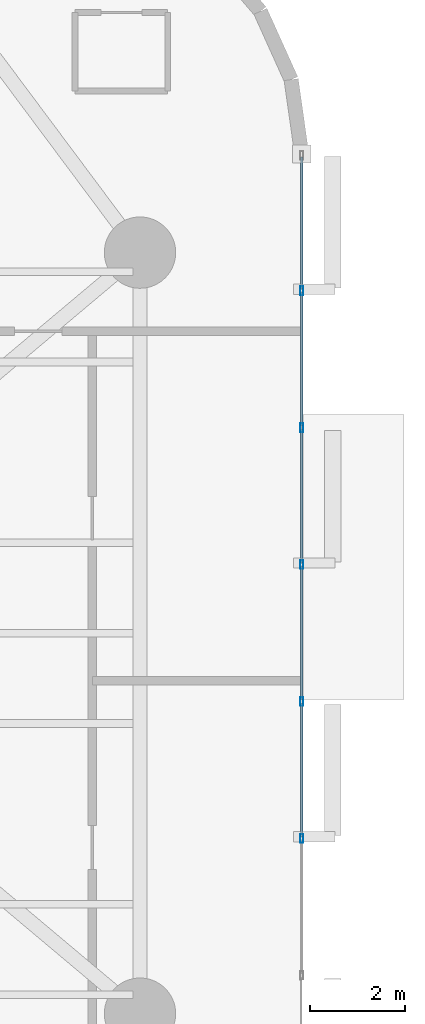
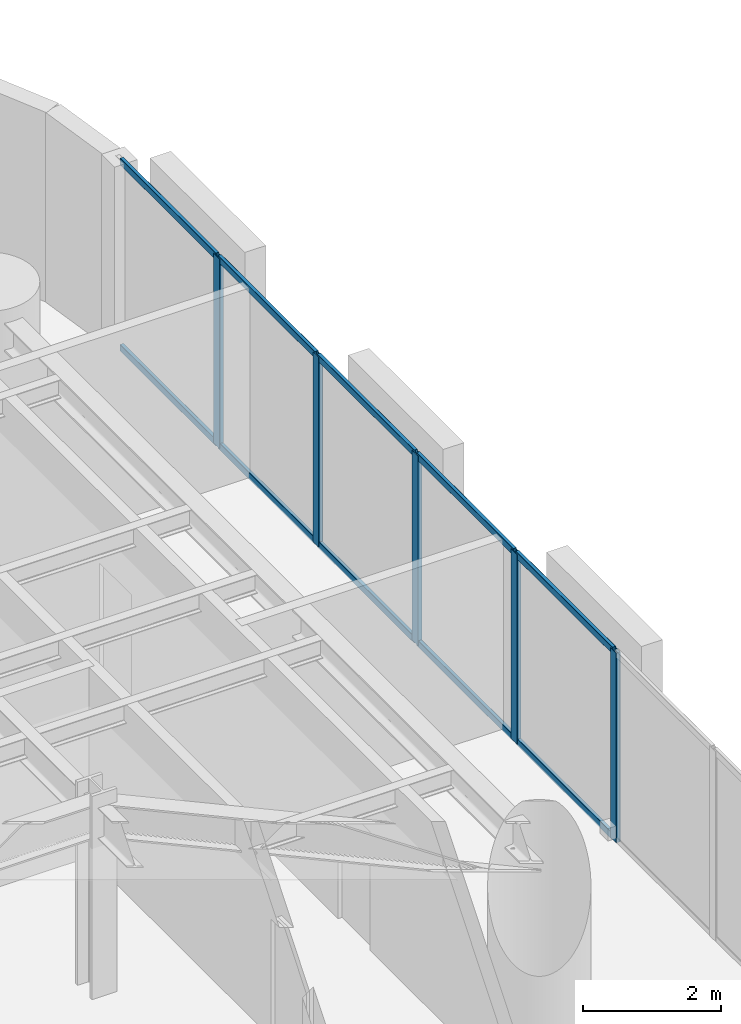
# One storey, part 6 of 16: 15 members, 1 element without a shape of its own.
"""IFC4 building model written with IfcOpenShell, lengths in metres."""

from ifc_helpers import new_model, si_unit, direction, frame, origin, origin_2d, place, context, subcontext, project, spatial, hollow_rectangle, extrude, material, layer, layer_set, material_profile, profile_set, type_object, element, aggregate, save


model = new_model("IFC4")

# Units and contexts
model_context = context("Model", 3, precision=1e-05, world=origin(), true_north=direction((0.0, 1.0)))
body_context = subcontext(model_context, "Body", "Model", "MODEL_VIEW")
ifc_project = project(units=[si_unit("LENGTHUNIT", "METRE"), si_unit("AREAUNIT", "SQUARE_METRE"), si_unit("VOLUMEUNIT", "CUBIC_METRE"), si_unit("PLANEANGLEUNIT", "RADIAN"), si_unit("MASSUNIT", "GRAM", prefix="KILO")], contexts=[model_context])

# Site, building, storey
site_placement = place(None, origin())
site = spatial("IfcSite", under=ifc_project, at=site_placement, CompositionType="ELEMENT")
building_placement = place(site_placement, origin())
building = spatial("IfcBuilding", under=site, at=building_placement, Name="An Khanh Terracotta Commons", CompositionType="ELEMENT")
storey_placement = place(building_placement, frame((0.0, 0.0, 72.0)))
storey = spatial("IfcBuildingStorey", under=building, at=storey_placement, Name="L19", CompositionType="ELEMENT", Elevation=72.0)

# Curtain wall, members
ifc_material = material(Name="Anodised Aluminium 6063-T6", Category="aluminium")
ifc_layer = layer(ifc_material, 0.199951171875, Name="Anodised Aluminium 6063-T6")
ifc_layer_set = layer_set([ifc_layer], Name="Anodised Aluminium 6063-T6")
curtain_wall_type = type_object("IfcCurtainWallType", Name="CW-SYS-02", PredefinedType="USERDEFINED", material=ifc_layer_set)
curtain_wall_placement = place(storey_placement, origin())
curtain_wall = element("IfcCurtainWall", 1, at=curtain_wall_placement, inside=storey, type_object=curtain_wall_type, Name="L19 CW-02 Unitised Curtain Wall CW-L19-12", ObjectType="UNITISED CURTAIN WALL", PredefinedType="USERDEFINED")
ifc_material_profile_1 = material_profile(ifc_material, hollow_rectangle(XDim=0.070068359375, YDim=0.179931640625, WallThickness=0.00390625, InnerFilletRadius=0.00390625, OuterFilletRadius=0.008056640625, at=origin_2d()), Name="RHS180x70x4")
ifc_profile_set_1 = profile_set([ifc_material_profile_1], Name="Anodised Aluminium 6063-T6")
member_type_1 = type_object("IfcMemberType", Name="CWM-RHS180x70x4", PredefinedType="MULLION", material=ifc_profile_set_1)
member_1_placement = place(storey_placement, frame((51.60009765625, 19.681396484375, 0.0), z_axis=(0.0, 0.0, 1.0), x_axis=(-1.0, 0.0, 0.0)))
member_1 = element("IfcMember", 2, at=member_1_placement, type_object=member_type_1, Name="CW-02 mullion 3", PredefinedType="MULLION", context=body_context, shape_type="SweptSolid", body=[
    extrude(hollow_rectangle(XDim=0.070068359375, YDim=0.179931640625, WallThickness=0.00390625, InnerFilletRadius=0.00390625, OuterFilletRadius=0.008056640625, at=origin_2d()), origin(), (0.0, 0.0, 1.0), 3.360107421875),
])
member_2_placement = place(storey_placement, frame((51.60009765625, 22.560546875, 0.0), z_axis=(0.0, 0.0, 1.0), x_axis=(-1.0, 0.0, 0.0)))
member_2 = element("IfcMember", 3, at=member_2_placement, type_object=member_type_1, Name="CW-02 mullion 4", PredefinedType="MULLION", context=body_context, shape_type="SweptSolid", body=[
    extrude(hollow_rectangle(XDim=0.070068359375, YDim=0.179931640625, WallThickness=0.00390625, InnerFilletRadius=0.00390625, OuterFilletRadius=0.008056640625, at=origin_2d()), origin(), (0.0, 0.0, 1.0), 3.360107421875),
])
member_3_placement = place(storey_placement, frame((51.60009765625, 25.439453125, 0.0), z_axis=(0.0, 0.0, 1.0), x_axis=(-1.0, 0.0, 0.0)))
member_3 = element("IfcMember", 4, at=member_3_placement, type_object=member_type_1, Name="CW-02 mullion 5", PredefinedType="MULLION", context=body_context, shape_type="SweptSolid", body=[
    extrude(hollow_rectangle(XDim=0.070068359375, YDim=0.179931640625, WallThickness=0.00390625, InnerFilletRadius=0.00390625, OuterFilletRadius=0.008056640625, at=origin_2d()), origin(), (0.0, 0.0, 1.0), 3.360107421875),
])
member_4_placement = place(storey_placement, frame((51.60009765625, 28.318603515625, 0.0), z_axis=(0.0, 0.0, 1.0), x_axis=(-1.0, 0.0, 0.0)))
member_4 = element("IfcMember", 5, at=member_4_placement, type_object=member_type_1, Name="CW-02 mullion 6", PredefinedType="MULLION", context=body_context, shape_type="SweptSolid", body=[
    extrude(hollow_rectangle(XDim=0.070068359375, YDim=0.179931640625, WallThickness=0.00390625, InnerFilletRadius=0.00390625, OuterFilletRadius=0.008056640625, at=origin_2d()), origin(), (0.0, 0.0, 1.0), 3.360107421875),
])
member_5_placement = place(storey_placement, frame((51.60009765625, 31.19775390625, 0.0), z_axis=(0.0, 0.0, 1.0), x_axis=(-1.0, 0.0, 0.0)))
member_5 = element("IfcMember", 6, at=member_5_placement, type_object=member_type_1, Name="CW-02 mullion 7", PredefinedType="MULLION", context=body_context, shape_type="SweptSolid", body=[
    extrude(hollow_rectangle(XDim=0.070068359375, YDim=0.179931640625, WallThickness=0.00390625, InnerFilletRadius=0.00390625, OuterFilletRadius=0.008056640625, at=origin_2d()), origin(), (0.0, 0.0, 1.0), 3.360107421875),
])
ifc_material_profile_2 = material_profile(ifc_material, hollow_rectangle(XDim=0.06005859375, YDim=0.1201171875, WallThickness=0.003662109375, InnerFilletRadius=0.003662109375, OuterFilletRadius=0.007080078125, at=origin_2d()), Name="RHS120x60x3.6")
ifc_profile_set_2 = profile_set([ifc_material_profile_2], Name="Anodised Aluminium 6063-T6")
member_type_2 = type_object("IfcMemberType", Name="CWT-RHS120x60x3.6", PredefinedType="USERDEFINED", material=ifc_profile_set_2)
member_6_placement = place(storey_placement, frame((51.60009765625, 19.71630859375, 0.030029296875), z_axis=(0.0, 1.0, 0.0), x_axis=(-1.0, 0.0, 0.0)))
member_6 = element("IfcMember", 7, at=member_6_placement, type_object=member_type_2, Name="CW-02 transom 3.1", ObjectType="TRANSOM", PredefinedType="USERDEFINED", context=body_context, shape_type="SweptSolid", body=[
    extrude(hollow_rectangle(XDim=0.06005859375, YDim=0.1201171875, WallThickness=0.003662109375, InnerFilletRadius=0.003662109375, OuterFilletRadius=0.007080078125, at=origin_2d()), origin(), (0.0, 0.0, 1.0), 2.80908203125),
])
member_7_placement = place(storey_placement, frame((51.60009765625, 19.71630859375, 3.330078125), z_axis=(0.0, 1.0, 0.0), x_axis=(-1.0, 0.0, 0.0)))
member_7 = element("IfcMember", 8, at=member_7_placement, type_object=member_type_2, Name="CW-02 transom 3.2", ObjectType="TRANSOM", PredefinedType="USERDEFINED", context=body_context, shape_type="SweptSolid", body=[
    extrude(hollow_rectangle(XDim=0.06005859375, YDim=0.1201171875, WallThickness=0.003662109375, InnerFilletRadius=0.003662109375, OuterFilletRadius=0.007080078125, at=origin_2d()), origin(), (0.0, 0.0, 1.0), 2.80908203125),
])
member_8_placement = place(storey_placement, frame((51.60009765625, 22.595458984375, 0.030029296875), z_axis=(0.0, 1.0, 0.0), x_axis=(-1.0, 0.0, 0.0)))
member_8 = element("IfcMember", 9, at=member_8_placement, type_object=member_type_2, Name="CW-02 transom 4.1", ObjectType="TRANSOM", PredefinedType="USERDEFINED", context=body_context, shape_type="SweptSolid", body=[
    extrude(hollow_rectangle(XDim=0.06005859375, YDim=0.1201171875, WallThickness=0.003662109375, InnerFilletRadius=0.003662109375, OuterFilletRadius=0.007080078125, at=origin_2d()), origin(), (0.0, 0.0, 1.0), 2.80908203125),
])
member_9_placement = place(storey_placement, frame((51.60009765625, 22.595458984375, 3.330078125), z_axis=(0.0, 1.0, 0.0), x_axis=(-1.0, 0.0, 0.0)))
member_9 = element("IfcMember", 10, at=member_9_placement, type_object=member_type_2, Name="CW-02 transom 4.2", ObjectType="TRANSOM", PredefinedType="USERDEFINED", context=body_context, shape_type="SweptSolid", body=[
    extrude(hollow_rectangle(XDim=0.06005859375, YDim=0.1201171875, WallThickness=0.003662109375, InnerFilletRadius=0.003662109375, OuterFilletRadius=0.007080078125, at=origin_2d()), origin(), (0.0, 0.0, 1.0), 2.80908203125),
])
member_10_placement = place(storey_placement, frame((51.60009765625, 25.474609375, 0.030029296875), z_axis=(0.0, 1.0, 0.0), x_axis=(-1.0, 0.0, 0.0)))
member_10 = element("IfcMember", 11, at=member_10_placement, type_object=member_type_2, Name="CW-02 transom 5.1", ObjectType="TRANSOM", PredefinedType="USERDEFINED", context=body_context, shape_type="SweptSolid", body=[
    extrude(hollow_rectangle(XDim=0.06005859375, YDim=0.1201171875, WallThickness=0.003662109375, InnerFilletRadius=0.003662109375, OuterFilletRadius=0.007080078125, at=origin_2d()), origin(), (0.0, 0.0, 1.0), 2.80908203125),
])
member_11_placement = place(storey_placement, frame((51.60009765625, 25.474609375, 3.330078125), z_axis=(0.0, 1.0, 0.0), x_axis=(-1.0, 0.0, 0.0)))
member_11 = element("IfcMember", 12, at=member_11_placement, type_object=member_type_2, Name="CW-02 transom 5.2", ObjectType="TRANSOM", PredefinedType="USERDEFINED", context=body_context, shape_type="SweptSolid", body=[
    extrude(hollow_rectangle(XDim=0.06005859375, YDim=0.1201171875, WallThickness=0.003662109375, InnerFilletRadius=0.003662109375, OuterFilletRadius=0.007080078125, at=origin_2d()), origin(), (0.0, 0.0, 1.0), 2.80908203125),
])
member_12_placement = place(storey_placement, frame((51.60009765625, 28.353759765625, 0.030029296875), z_axis=(0.0, 1.0, 0.0), x_axis=(-1.0, 0.0, 0.0)))
member_12 = element("IfcMember", 13, at=member_12_placement, type_object=member_type_2, Name="CW-02 transom 6.1", ObjectType="TRANSOM", PredefinedType="USERDEFINED", context=body_context, shape_type="SweptSolid", body=[
    extrude(hollow_rectangle(XDim=0.06005859375, YDim=0.1201171875, WallThickness=0.003662109375, InnerFilletRadius=0.003662109375, OuterFilletRadius=0.007080078125, at=origin_2d()), origin(), (0.0, 0.0, 1.0), 2.80908203125),
])
member_13_placement = place(storey_placement, frame((51.60009765625, 28.353759765625, 3.330078125), z_axis=(0.0, 1.0, 0.0), x_axis=(-1.0, 0.0, 0.0)))
member_13 = element("IfcMember", 14, at=member_13_placement, type_object=member_type_2, Name="CW-02 transom 6.2", ObjectType="TRANSOM", PredefinedType="USERDEFINED", context=body_context, shape_type="SweptSolid", body=[
    extrude(hollow_rectangle(XDim=0.06005859375, YDim=0.1201171875, WallThickness=0.003662109375, InnerFilletRadius=0.003662109375, OuterFilletRadius=0.007080078125, at=origin_2d()), origin(), (0.0, 0.0, 1.0), 2.80908203125),
])
member_14_placement = place(storey_placement, frame((51.60009765625, 31.23291015625, 0.030029296875), z_axis=(0.0, 1.0, 0.0), x_axis=(-1.0, 0.0, 0.0)))
member_14 = element("IfcMember", 15, at=member_14_placement, type_object=member_type_2, Name="CW-02 transom 7.1", ObjectType="TRANSOM", PredefinedType="USERDEFINED", context=body_context, shape_type="SweptSolid", body=[
    extrude(hollow_rectangle(XDim=0.06005859375, YDim=0.1201171875, WallThickness=0.003662109375, InnerFilletRadius=0.003662109375, OuterFilletRadius=0.007080078125, at=origin_2d()), origin(), (0.0, 0.0, 1.0), 2.774169921875),
])
member_15_placement = place(storey_placement, frame((51.60009765625, 31.23291015625, 3.330078125), z_axis=(0.0, 1.0, 0.0), x_axis=(-1.0, 0.0, 0.0)))
member_15 = element("IfcMember", 16, at=member_15_placement, type_object=member_type_2, Name="CW-02 transom 7.2", ObjectType="TRANSOM", PredefinedType="USERDEFINED", context=body_context, shape_type="SweptSolid", body=[
    extrude(hollow_rectangle(XDim=0.06005859375, YDim=0.1201171875, WallThickness=0.003662109375, InnerFilletRadius=0.003662109375, OuterFilletRadius=0.007080078125, at=origin_2d()), origin(), (0.0, 0.0, 1.0), 2.774169921875),
])
aggregate(curtain_wall, [member_1, member_2, member_3, member_4, member_5, member_6, member_7, member_8, member_9, member_10, member_11, member_12, member_13, member_14, member_15])

save(model, "model.ifc")
